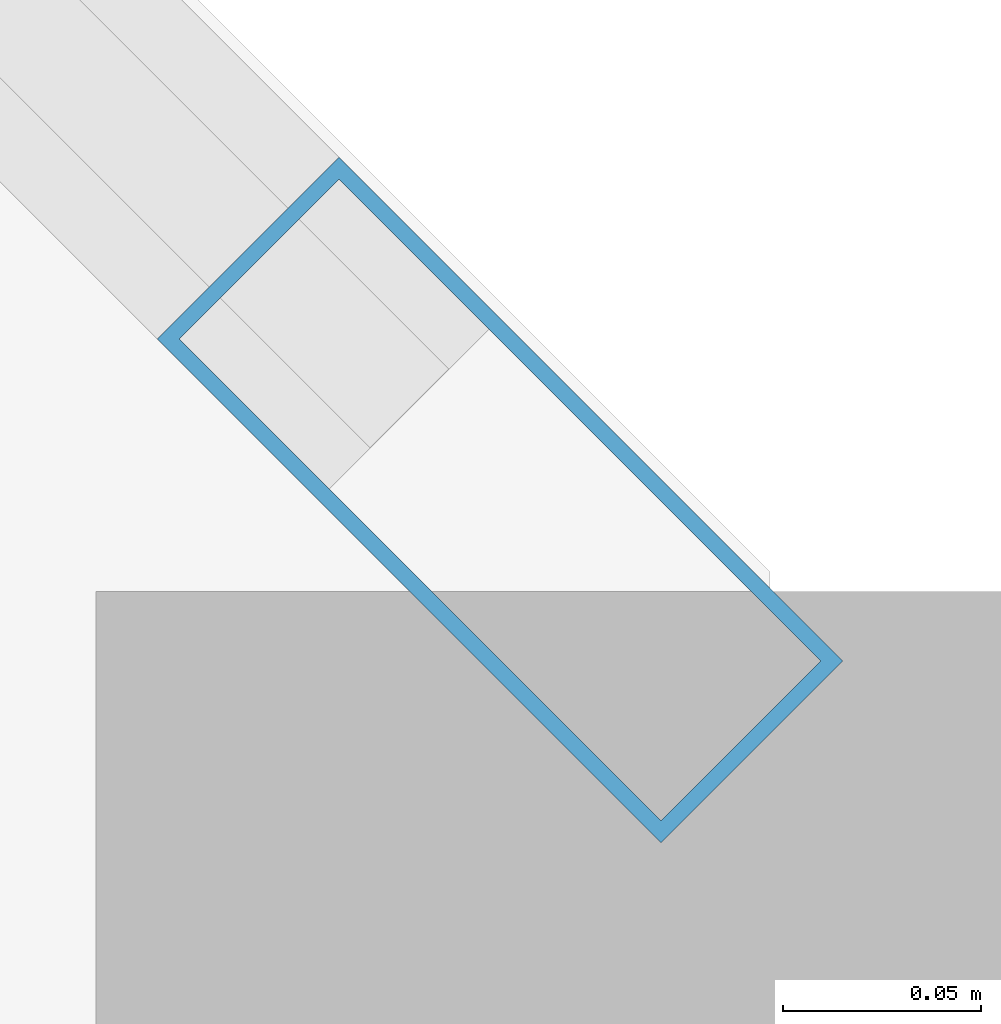
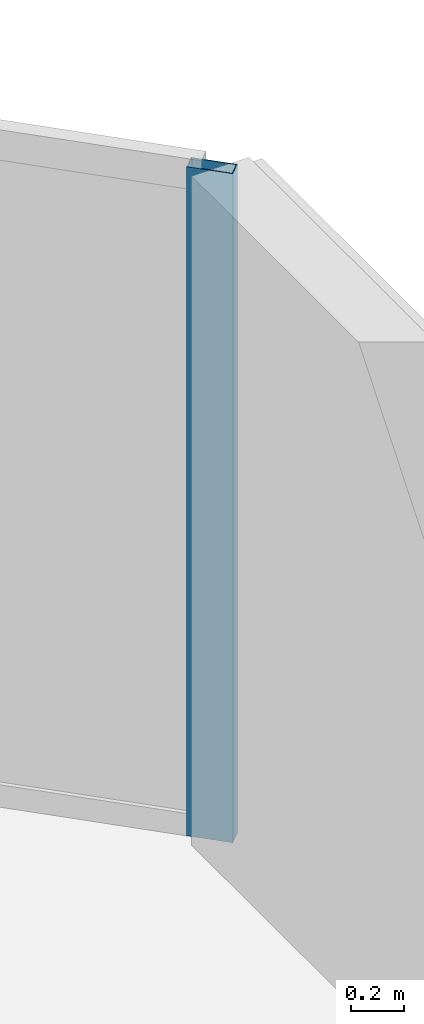
# One storey, part 17 of 33: 1 member, 1 element without a shape of its own.
"""IFC4 building model written with IfcOpenShell, lengths in metres."""

from ifc_helpers import new_model, si_unit, direction, frame, origin, origin_2d, place, context, subcontext, project, spatial, hollow_rectangle, extrude, material, layer, layer_set, material_profile, profile_set, type_object, element, aggregate, save


model = new_model("IFC4")

# Units and contexts
model_context = context("Model", 3, precision=1e-05, world=origin(), true_north=direction((0.0, 1.0)))
body_context = subcontext(model_context, "Body", "Model", "MODEL_VIEW")
ifc_project = project(units=[si_unit("LENGTHUNIT", "METRE"), si_unit("AREAUNIT", "SQUARE_METRE"), si_unit("VOLUMEUNIT", "CUBIC_METRE"), si_unit("PLANEANGLEUNIT", "RADIAN"), si_unit("MASSUNIT", "GRAM", prefix="KILO")], contexts=[model_context])

# Site, building, storey
site_placement = place(None, origin())
site = spatial("IfcSite", under=ifc_project, at=site_placement, CompositionType="ELEMENT")
building_placement = place(site_placement, origin())
building = spatial("IfcBuilding", under=site, at=building_placement, Name="Tanjung Sevakor Pilgrim Tower", CompositionType="ELEMENT")
storey_placement = place(building_placement, frame((0.0, 0.0, 95.3701171875)))
storey = spatial("IfcBuildingStorey", under=building, at=storey_placement, Name="L26", CompositionType="ELEMENT", Elevation=95.3701171875)

# Curtain wall, member
ifc_material_1 = material(Name="Aluminium 6063-T6 and Low-E Glass", Category="aluminium")
ifc_layer = layer(ifc_material_1, 0.179931640625)
ifc_layer_set = layer_set([ifc_layer], Name="CW-SYS-CHAM")
curtain_wall_type = type_object("IfcCurtainWallType", Name="CW-SYS-CHAM", PredefinedType="NOTDEFINED", material=ifc_layer_set)
curtain_wall_placement = place(storey_placement, origin())
curtain_wall = element("IfcCurtainWall", 1, at=curtain_wall_placement, inside=storey, type_object=curtain_wall_type, Name="L26 Curtain Wall CW-CHM-L26-MAIN-7", PredefinedType="NOTDEFINED")
ifc_material_2 = material(Name="Aluminium 6063-T6", Category="aluminium")
ifc_material_profile = material_profile(ifc_material_2, hollow_rectangle(XDim=0.06494140625, YDim=0.179931640625, WallThickness=0.00390625, at=origin_2d()))
ifc_profile_set = profile_set([ifc_material_profile], Name="Aluminium 6063-T6")
member_type = type_object("IfcMemberType", Name="TYPE-CWM-1", PredefinedType="MULLION", material=ifc_profile_set)
member_placement = place(storey_placement, frame((100.251953125, 53.37109375, 0.0), z_axis=(0.0, 0.0, 1.0), x_axis=(-0.707106781187, -0.707106781187, 0.0)))
member = element("IfcMember", 2, at=member_placement, type_object=member_type, Name="CW-CHM mullion 1", PredefinedType="MULLION", context=body_context, shape_type="SweptSolid", body=[
    extrude(hollow_rectangle(XDim=0.06494140625, YDim=0.179931640625, WallThickness=0.00390625, at=origin_2d()), origin(), (0.0, 0.0, 1.0), 3.079833984375),
])
aggregate(curtain_wall, [member])

save(model, "model.ifc")
